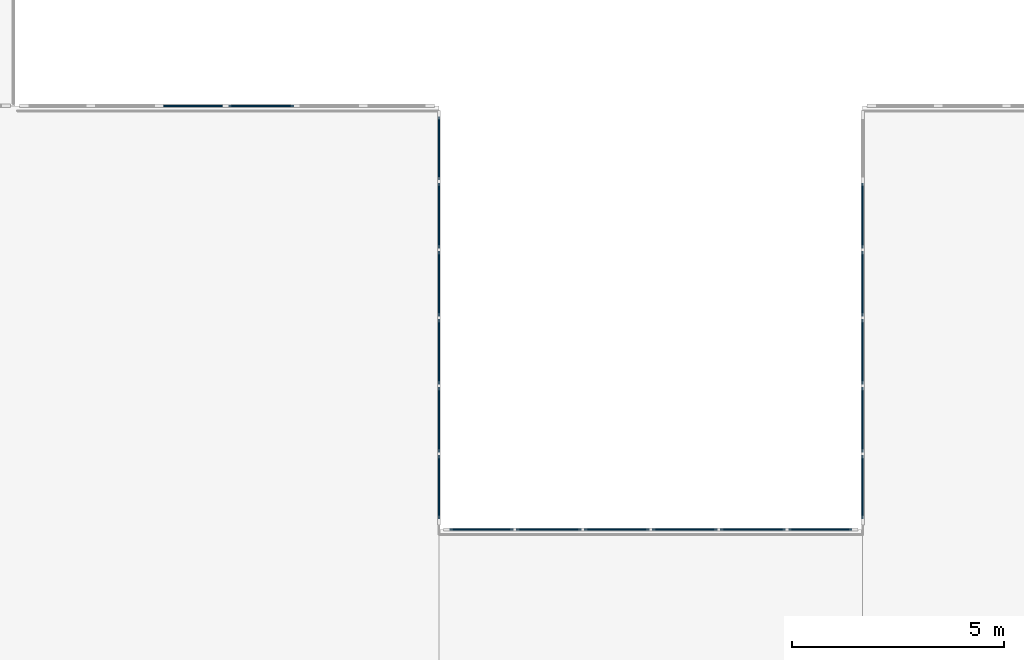
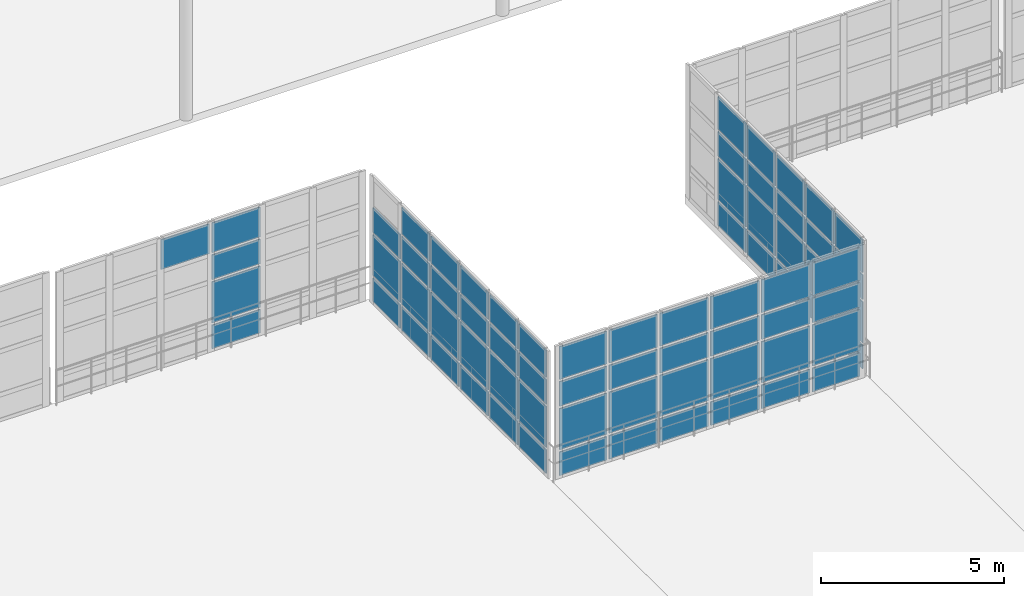
# One storey, part 94 of 139: 72 plates, 4 elements without a shape of their own.
"""IFC4 building model written with IfcOpenShell, lengths in metres."""

from ifc_helpers import new_model, si_unit, direction, frame, origin, origin_2d, place, context, subcontext, project, spatial, rectangle, extrude, material, layer, layer_set, type_object, element, aggregate, save


model = new_model("IFC4")

# Units and contexts
model_context = context("Model", 3, precision=1e-05, world=origin(), true_north=direction((0.0, 1.0)))
body_context = subcontext(model_context, "Body", "Model", "MODEL_VIEW")
ifc_project = project(units=[si_unit("LENGTHUNIT", "METRE"), si_unit("AREAUNIT", "SQUARE_METRE"), si_unit("VOLUMEUNIT", "CUBIC_METRE"), si_unit("PLANEANGLEUNIT", "RADIAN"), si_unit("MASSUNIT", "GRAM", prefix="KILO"), si_unit("THERMODYNAMICTEMPERATUREUNIT", "KELVIN"), si_unit("POWERUNIT", "WATT")], contexts=[model_context])

# Site, building, storey
site_placement = place(None, origin())
site = spatial("IfcSite", under=ifc_project, at=site_placement, CompositionType="ELEMENT")
building_placement = place(site_placement, origin())
building = spatial("IfcBuilding", under=site, at=building_placement, Name="Korenveer Ferry Terminal", CompositionType="ELEMENT")
storey_placement = place(building_placement, frame((0.0, 0.0, 5.39990234375)))
storey = spatial("IfcBuildingStorey", under=building, at=storey_placement, Name="L01", CompositionType="ELEMENT", Elevation=5.39990234375)

# Curtain wall, plates
ifc_material_1 = material(Name="Unitised bronze-and-glass curtain wall", Category="glass")
ifc_layer_1 = layer(ifc_material_1, 0.219970703125)
ifc_layer_set_1 = layer_set([ifc_layer_1], Name="Unitised bronze-and-glass curtain wall")
curtain_wall_type_1 = type_object("IfcCurtainWallType", Name="ENV-CW-52", PredefinedType="USERDEFINED", material=ifc_layer_set_1)
curtain_wall_1_placement = place(storey_placement, frame((83.179931640625, 80.0, 0.0)))
curtain_wall_1 = element("IfcCurtainWall", 1, at=curtain_wall_1_placement, inside=storey, type_object=curtain_wall_type_1, Name="Lancet curtain wall CWX-L01-X83-93-Y80-80", ObjectType="UNITISED CURTAIN WALL", PredefinedType="USERDEFINED")
ifc_material_2 = material(Name="Acoustic laminated marine glazing", Category="glass")
ifc_layer_2 = layer(ifc_material_2, 0.035888671875)
ifc_layer_set_2 = layer_set([ifc_layer_2], Name="Acoustic laminated marine glazing")
plate_type = type_object("IfcPlateType", Name="ENV-CWP-GLZ36", PredefinedType="CURTAIN_PANEL", material=ifc_layer_set_2)
plate_1_placement = place(storey_placement, frame((84.002197265625, 80.0, 0.074951171875), z_axis=(0.0, 0.0, 1.0), x_axis=(1.0, 0.0, 0.0)))
plate_1 = element("IfcPlate", 2, at=plate_1_placement, type_object=plate_type, Name="CW-52 panel 1.1", PredefinedType="CURTAIN_PANEL", context=body_context, shape_type="SweptSolid", body=[
    extrude(rectangle(XDim=1.494140625, YDim=0.035888671875, at=origin_2d()), origin(), (0.0, 0.0, 1.0), 0.78759765625),
])
plate_2_placement = place(storey_placement, frame((84.002197265625, 80.0, 0.9375), z_axis=(0.0, 0.0, 1.0), x_axis=(1.0, 0.0, 0.0)))
plate_2 = element("IfcPlate", 3, at=plate_2_placement, type_object=plate_type, Name="CW-52 panel 1.2", PredefinedType="CURTAIN_PANEL", context=body_context, shape_type="SweptSolid", body=[
    extrude(rectangle(XDim=1.494140625, YDim=0.035888671875, at=origin_2d()), origin(), (0.0, 0.0, 1.0), 1.375),
])
plate_3_placement = place(storey_placement, frame((84.002197265625, 80.0, 2.3876953125), z_axis=(0.0, 0.0, 1.0), x_axis=(1.0, 0.0, 0.0)))
plate_3 = element("IfcPlate", 4, at=plate_3_placement, type_object=plate_type, Name="CW-52 panel 1.3", PredefinedType="CURTAIN_PANEL", context=body_context, shape_type="SweptSolid", body=[
    extrude(rectangle(XDim=1.494140625, YDim=0.035888671875, at=origin_2d()), origin(), (0.0, 0.0, 1.0), 0.824951171875),
])
plate_4_placement = place(storey_placement, frame((84.002197265625, 80.0, 3.28759765625), z_axis=(0.0, 0.0, 1.0), x_axis=(1.0, 0.0, 0.0)))
plate_4 = element("IfcPlate", 5, at=plate_4_placement, type_object=plate_type, Name="CW-52 panel 1.4", PredefinedType="CURTAIN_PANEL", context=body_context, shape_type="SweptSolid", body=[
    extrude(rectangle(XDim=1.494140625, YDim=0.035888671875, at=origin_2d()), origin(), (0.0, 0.0, 1.0), 1.097412109375),
])
plate_5_placement = place(storey_placement, frame((85.590087890625, 80.0, 0.074951171875), z_axis=(0.0, 0.0, 1.0), x_axis=(1.0, 0.0, 0.0)))
plate_5 = element("IfcPlate", 6, at=plate_5_placement, type_object=plate_type, Name="CW-52 panel 2.1", PredefinedType="CURTAIN_PANEL", context=body_context, shape_type="SweptSolid", body=[
    extrude(rectangle(XDim=1.53173828125, YDim=0.035888671875, at=origin_2d()), origin(), (0.0, 0.0, 1.0), 0.78759765625),
])
plate_6_placement = place(storey_placement, frame((85.590087890625, 80.0, 0.9375), z_axis=(0.0, 0.0, 1.0), x_axis=(1.0, 0.0, 0.0)))
plate_6 = element("IfcPlate", 7, at=plate_6_placement, type_object=plate_type, Name="CW-52 panel 2.2", PredefinedType="CURTAIN_PANEL", context=body_context, shape_type="SweptSolid", body=[
    extrude(rectangle(XDim=1.53173828125, YDim=0.035888671875, at=origin_2d()), origin(), (0.0, 0.0, 1.0), 1.375),
])
plate_7_placement = place(storey_placement, frame((85.590087890625, 80.0, 2.3876953125), z_axis=(0.0, 0.0, 1.0), x_axis=(1.0, 0.0, 0.0)))
plate_7 = element("IfcPlate", 8, at=plate_7_placement, type_object=plate_type, Name="CW-52 panel 2.3", PredefinedType="CURTAIN_PANEL", context=body_context, shape_type="SweptSolid", body=[
    extrude(rectangle(XDim=1.53173828125, YDim=0.035888671875, at=origin_2d()), origin(), (0.0, 0.0, 1.0), 0.824951171875),
])
plate_8_placement = place(storey_placement, frame((85.590087890625, 80.0, 3.28759765625), z_axis=(0.0, 0.0, 1.0), x_axis=(1.0, 0.0, 0.0)))
plate_8 = element("IfcPlate", 9, at=plate_8_placement, type_object=plate_type, Name="CW-52 panel 2.4", PredefinedType="CURTAIN_PANEL", context=body_context, shape_type="SweptSolid", body=[
    extrude(rectangle(XDim=1.53173828125, YDim=0.035888671875, at=origin_2d()), origin(), (0.0, 0.0, 1.0), 1.097412109375),
])
plate_9_placement = place(storey_placement, frame((87.19677734375, 80.0, 0.074951171875), z_axis=(0.0, 0.0, 1.0), x_axis=(1.0, 0.0, 0.0)))
plate_9 = element("IfcPlate", 10, at=plate_9_placement, type_object=plate_type, Name="CW-52 panel 3.1", PredefinedType="CURTAIN_PANEL", context=body_context, shape_type="SweptSolid", body=[
    extrude(rectangle(XDim=1.53173828125, YDim=0.035888671875, at=origin_2d()), origin(), (0.0, 0.0, 1.0), 0.78759765625),
])
plate_10_placement = place(storey_placement, frame((87.19677734375, 80.0, 0.9375), z_axis=(0.0, 0.0, 1.0), x_axis=(1.0, 0.0, 0.0)))
plate_10 = element("IfcPlate", 11, at=plate_10_placement, type_object=plate_type, Name="CW-52 panel 3.2", PredefinedType="CURTAIN_PANEL", context=body_context, shape_type="SweptSolid", body=[
    extrude(rectangle(XDim=1.53173828125, YDim=0.035888671875, at=origin_2d()), origin(), (0.0, 0.0, 1.0), 1.375),
])
plate_11_placement = place(storey_placement, frame((87.19677734375, 80.0, 2.3876953125), z_axis=(0.0, 0.0, 1.0), x_axis=(1.0, 0.0, 0.0)))
plate_11 = element("IfcPlate", 12, at=plate_11_placement, type_object=plate_type, Name="CW-52 panel 3.3", PredefinedType="CURTAIN_PANEL", context=body_context, shape_type="SweptSolid", body=[
    extrude(rectangle(XDim=1.53173828125, YDim=0.035888671875, at=origin_2d()), origin(), (0.0, 0.0, 1.0), 0.824951171875),
])
plate_12_placement = place(storey_placement, frame((87.19677734375, 80.0, 3.28759765625), z_axis=(0.0, 0.0, 1.0), x_axis=(1.0, 0.0, 0.0)))
plate_12 = element("IfcPlate", 13, at=plate_12_placement, type_object=plate_type, Name="CW-52 panel 3.4", PredefinedType="CURTAIN_PANEL", context=body_context, shape_type="SweptSolid", body=[
    extrude(rectangle(XDim=1.53173828125, YDim=0.035888671875, at=origin_2d()), origin(), (0.0, 0.0, 1.0), 1.097412109375),
])
plate_13_placement = place(storey_placement, frame((88.80322265625, 80.0, 0.074951171875), z_axis=(0.0, 0.0, 1.0), x_axis=(1.0, 0.0, 0.0)))
plate_13 = element("IfcPlate", 14, at=plate_13_placement, type_object=plate_type, Name="CW-52 panel 4.1", PredefinedType="CURTAIN_PANEL", context=body_context, shape_type="SweptSolid", body=[
    extrude(rectangle(XDim=1.53173828125, YDim=0.035888671875, at=origin_2d()), origin(), (0.0, 0.0, 1.0), 0.78759765625),
])
plate_14_placement = place(storey_placement, frame((88.80322265625, 80.0, 0.9375), z_axis=(0.0, 0.0, 1.0), x_axis=(1.0, 0.0, 0.0)))
plate_14 = element("IfcPlate", 15, at=plate_14_placement, type_object=plate_type, Name="CW-52 panel 4.2", PredefinedType="CURTAIN_PANEL", context=body_context, shape_type="SweptSolid", body=[
    extrude(rectangle(XDim=1.53173828125, YDim=0.035888671875, at=origin_2d()), origin(), (0.0, 0.0, 1.0), 1.375),
])
plate_15_placement = place(storey_placement, frame((88.80322265625, 80.0, 2.3876953125), z_axis=(0.0, 0.0, 1.0), x_axis=(1.0, 0.0, 0.0)))
plate_15 = element("IfcPlate", 16, at=plate_15_placement, type_object=plate_type, Name="CW-52 panel 4.3", PredefinedType="CURTAIN_PANEL", context=body_context, shape_type="SweptSolid", body=[
    extrude(rectangle(XDim=1.53173828125, YDim=0.035888671875, at=origin_2d()), origin(), (0.0, 0.0, 1.0), 0.824951171875),
])
plate_16_placement = place(storey_placement, frame((88.80322265625, 80.0, 3.28759765625), z_axis=(0.0, 0.0, 1.0), x_axis=(1.0, 0.0, 0.0)))
plate_16 = element("IfcPlate", 17, at=plate_16_placement, type_object=plate_type, Name="CW-52 panel 4.4", PredefinedType="CURTAIN_PANEL", context=body_context, shape_type="SweptSolid", body=[
    extrude(rectangle(XDim=1.53173828125, YDim=0.035888671875, at=origin_2d()), origin(), (0.0, 0.0, 1.0), 1.097412109375),
])
plate_17_placement = place(storey_placement, frame((90.409912109375, 80.0, 0.074951171875), z_axis=(0.0, 0.0, 1.0), x_axis=(1.0, 0.0, 0.0)))
plate_17 = element("IfcPlate", 18, at=plate_17_placement, type_object=plate_type, Name="CW-52 panel 5.1", PredefinedType="CURTAIN_PANEL", context=body_context, shape_type="SweptSolid", body=[
    extrude(rectangle(XDim=1.53173828125, YDim=0.035888671875, at=origin_2d()), origin(), (0.0, 0.0, 1.0), 0.78759765625),
])
plate_18_placement = place(storey_placement, frame((90.409912109375, 80.0, 0.9375), z_axis=(0.0, 0.0, 1.0), x_axis=(1.0, 0.0, 0.0)))
plate_18 = element("IfcPlate", 19, at=plate_18_placement, type_object=plate_type, Name="CW-52 panel 5.2", PredefinedType="CURTAIN_PANEL", context=body_context, shape_type="SweptSolid", body=[
    extrude(rectangle(XDim=1.53173828125, YDim=0.035888671875, at=origin_2d()), origin(), (0.0, 0.0, 1.0), 1.375),
])
plate_19_placement = place(storey_placement, frame((90.409912109375, 80.0, 2.3876953125), z_axis=(0.0, 0.0, 1.0), x_axis=(1.0, 0.0, 0.0)))
plate_19 = element("IfcPlate", 20, at=plate_19_placement, type_object=plate_type, Name="CW-52 panel 5.3", PredefinedType="CURTAIN_PANEL", context=body_context, shape_type="SweptSolid", body=[
    extrude(rectangle(XDim=1.53173828125, YDim=0.035888671875, at=origin_2d()), origin(), (0.0, 0.0, 1.0), 0.824951171875),
])
plate_20_placement = place(storey_placement, frame((90.409912109375, 80.0, 3.28759765625), z_axis=(0.0, 0.0, 1.0), x_axis=(1.0, 0.0, 0.0)))
plate_20 = element("IfcPlate", 21, at=plate_20_placement, type_object=plate_type, Name="CW-52 panel 5.4", PredefinedType="CURTAIN_PANEL", context=body_context, shape_type="SweptSolid", body=[
    extrude(rectangle(XDim=1.53173828125, YDim=0.035888671875, at=origin_2d()), origin(), (0.0, 0.0, 1.0), 1.097412109375),
])
plate_21_placement = place(storey_placement, frame((91.997802734375, 80.0, 0.074951171875), z_axis=(0.0, 0.0, 1.0), x_axis=(1.0, 0.0, 0.0)))
plate_21 = element("IfcPlate", 22, at=plate_21_placement, type_object=plate_type, Name="CW-52 panel 6.1", PredefinedType="CURTAIN_PANEL", context=body_context, shape_type="SweptSolid", body=[
    extrude(rectangle(XDim=1.494140625, YDim=0.035888671875, at=origin_2d()), origin(), (0.0, 0.0, 1.0), 0.78759765625),
])
plate_22_placement = place(storey_placement, frame((91.997802734375, 80.0, 0.9375), z_axis=(0.0, 0.0, 1.0), x_axis=(1.0, 0.0, 0.0)))
plate_22 = element("IfcPlate", 23, at=plate_22_placement, type_object=plate_type, Name="CW-52 panel 6.2", PredefinedType="CURTAIN_PANEL", context=body_context, shape_type="SweptSolid", body=[
    extrude(rectangle(XDim=1.494140625, YDim=0.035888671875, at=origin_2d()), origin(), (0.0, 0.0, 1.0), 1.375),
])
plate_23_placement = place(storey_placement, frame((91.997802734375, 80.0, 2.3876953125), z_axis=(0.0, 0.0, 1.0), x_axis=(1.0, 0.0, 0.0)))
plate_23 = element("IfcPlate", 24, at=plate_23_placement, type_object=plate_type, Name="CW-52 panel 6.3", PredefinedType="CURTAIN_PANEL", context=body_context, shape_type="SweptSolid", body=[
    extrude(rectangle(XDim=1.494140625, YDim=0.035888671875, at=origin_2d()), origin(), (0.0, 0.0, 1.0), 0.824951171875),
])
plate_24_placement = place(storey_placement, frame((91.997802734375, 80.0, 3.28759765625), z_axis=(0.0, 0.0, 1.0), x_axis=(1.0, 0.0, 0.0)))
plate_24 = element("IfcPlate", 25, at=plate_24_placement, type_object=plate_type, Name="CW-52 panel 6.4", PredefinedType="CURTAIN_PANEL", context=body_context, shape_type="SweptSolid", body=[
    extrude(rectangle(XDim=1.494140625, YDim=0.035888671875, at=origin_2d()), origin(), (0.0, 0.0, 1.0), 1.097412109375),
])
aggregate(curtain_wall_1, [plate_1, plate_2, plate_3, plate_4, plate_5, plate_6, plate_7, plate_8, plate_9, plate_10, plate_11, plate_12, plate_13, plate_14, plate_15, plate_16, plate_17, plate_18, plate_19, plate_20, plate_21, plate_22, plate_23, plate_24])

ifc_layer_3 = layer(ifc_material_1, 0.219970703125)
ifc_layer_set_3 = layer_set([ifc_layer_3], Name="Unitised bronze-and-glass curtain wall")
curtain_wall_type_2 = type_object("IfcCurtainWallType", Name="ENV-CW-54", PredefinedType="USERDEFINED", material=ifc_layer_set_3)
curtain_wall_2_placement = place(storey_placement, frame((73.179931640625, 90.0, 0.0)))
curtain_wall_2 = element("IfcCurtainWall", 26, at=curtain_wall_2_placement, inside=storey, type_object=curtain_wall_type_2, Name="Lancet curtain wall CWX-L01-X73-83-Y90-90", ObjectType="UNITISED CURTAIN WALL", PredefinedType="USERDEFINED")
plate_25_placement = place(storey_placement, frame((77.19677734375, 90.0, 3.28759765625), z_axis=(0.0, 0.0, 1.0), x_axis=(1.0, 0.0, 0.0)))
plate_25 = element("IfcPlate", 27, at=plate_25_placement, type_object=plate_type, Name="CW-54 panel 3.4", PredefinedType="CURTAIN_PANEL", context=body_context, shape_type="SweptSolid", body=[
    extrude(rectangle(XDim=1.53173828125, YDim=0.035888671875, at=origin_2d()), origin(), (0.0, 0.0, 1.0), 0.99755859375),
])
plate_26_placement = place(storey_placement, frame((78.80322265625, 90.0, 0.074951171875), z_axis=(0.0, 0.0, 1.0), x_axis=(1.0, 0.0, 0.0)))
plate_26 = element("IfcPlate", 28, at=plate_26_placement, type_object=plate_type, Name="CW-54 panel 4.1", PredefinedType="CURTAIN_PANEL", context=body_context, shape_type="SweptSolid", body=[
    extrude(rectangle(XDim=1.53173828125, YDim=0.035888671875, at=origin_2d()), origin(), (0.0, 0.0, 1.0), 0.78759765625),
])
plate_27_placement = place(storey_placement, frame((78.80322265625, 90.0, 0.9375), z_axis=(0.0, 0.0, 1.0), x_axis=(1.0, 0.0, 0.0)))
plate_27 = element("IfcPlate", 29, at=plate_27_placement, type_object=plate_type, Name="CW-54 panel 4.2", PredefinedType="CURTAIN_PANEL", context=body_context, shape_type="SweptSolid", body=[
    extrude(rectangle(XDim=1.53173828125, YDim=0.035888671875, at=origin_2d()), origin(), (0.0, 0.0, 1.0), 1.375),
])
plate_28_placement = place(storey_placement, frame((78.80322265625, 90.0, 2.3876953125), z_axis=(0.0, 0.0, 1.0), x_axis=(1.0, 0.0, 0.0)))
plate_28 = element("IfcPlate", 30, at=plate_28_placement, type_object=plate_type, Name="CW-54 panel 4.3", PredefinedType="CURTAIN_PANEL", context=body_context, shape_type="SweptSolid", body=[
    extrude(rectangle(XDim=1.53173828125, YDim=0.035888671875, at=origin_2d()), origin(), (0.0, 0.0, 1.0), 0.824951171875),
])
plate_29_placement = place(storey_placement, frame((78.80322265625, 90.0, 3.28759765625), z_axis=(0.0, 0.0, 1.0), x_axis=(1.0, 0.0, 0.0)))
plate_29 = element("IfcPlate", 31, at=plate_29_placement, type_object=plate_type, Name="CW-54 panel 4.4", PredefinedType="CURTAIN_PANEL", context=body_context, shape_type="SweptSolid", body=[
    extrude(rectangle(XDim=1.53173828125, YDim=0.035888671875, at=origin_2d()), origin(), (0.0, 0.0, 1.0), 0.99755859375),
])
aggregate(curtain_wall_2, [plate_25, plate_26, plate_27, plate_28, plate_29])

ifc_layer_4 = layer(ifc_material_1, 0.219970703125)
ifc_layer_set_4 = layer_set([ifc_layer_4], Name="Unitised bronze-and-glass curtain wall")
curtain_wall_type_3 = type_object("IfcCurtainWallType", Name="ENV-CW-55", PredefinedType="USERDEFINED", material=ifc_layer_set_4)
curtain_wall_3_placement = place(storey_placement, frame((83.0, 89.820068359375, 0.0)))
curtain_wall_3 = element("IfcCurtainWall", 32, at=curtain_wall_3_placement, inside=storey, type_object=curtain_wall_type_3, Name="Lancet curtain wall CWX-L01-X83-83-Y80-90", ObjectType="UNITISED CURTAIN WALL", PredefinedType="USERDEFINED")
plate_30_placement = place(storey_placement, frame((83.0, 88.997802734375, 0.074951171875), z_axis=(0.0, 0.0, 1.0), x_axis=(0.0, -1.0, 0.0)))
plate_30 = element("IfcPlate", 33, at=plate_30_placement, type_object=plate_type, Name="CW-55 panel 1.1", PredefinedType="CURTAIN_PANEL", context=body_context, shape_type="SweptSolid", body=[
    extrude(rectangle(XDim=1.494140625, YDim=0.035888671875, at=origin_2d()), origin(), (0.0, 0.0, 1.0), 0.78759765625),
])
plate_31_placement = place(storey_placement, frame((83.0, 88.997802734375, 0.9375), z_axis=(0.0, 0.0, 1.0), x_axis=(0.0, -1.0, 0.0)))
plate_31 = element("IfcPlate", 34, at=plate_31_placement, type_object=plate_type, Name="CW-55 panel 1.2", PredefinedType="CURTAIN_PANEL", context=body_context, shape_type="SweptSolid", body=[
    extrude(rectangle(XDim=1.494140625, YDim=0.035888671875, at=origin_2d()), origin(), (0.0, 0.0, 1.0), 1.375),
])
plate_32_placement = place(storey_placement, frame((83.0, 88.997802734375, 2.3876953125), z_axis=(0.0, 0.0, 1.0), x_axis=(0.0, -1.0, 0.0)))
plate_32 = element("IfcPlate", 35, at=plate_32_placement, type_object=plate_type, Name="CW-55 panel 1.3", PredefinedType="CURTAIN_PANEL", context=body_context, shape_type="SweptSolid", body=[
    extrude(rectangle(XDim=1.494140625, YDim=0.035888671875, at=origin_2d()), origin(), (0.0, 0.0, 1.0), 0.824951171875),
])
plate_33_placement = place(storey_placement, frame((83.0, 87.409912109375, 0.074951171875), z_axis=(0.0, 0.0, 1.0), x_axis=(0.0, -1.0, 0.0)))
plate_33 = element("IfcPlate", 36, at=plate_33_placement, type_object=plate_type, Name="CW-55 panel 2.1", PredefinedType="CURTAIN_PANEL", context=body_context, shape_type="SweptSolid", body=[
    extrude(rectangle(XDim=1.53173828125, YDim=0.035888671875, at=origin_2d()), origin(), (0.0, 0.0, 1.0), 0.78759765625),
])
plate_34_placement = place(storey_placement, frame((83.0, 87.409912109375, 0.9375), z_axis=(0.0, 0.0, 1.0), x_axis=(0.0, -1.0, 0.0)))
plate_34 = element("IfcPlate", 37, at=plate_34_placement, type_object=plate_type, Name="CW-55 panel 2.2", PredefinedType="CURTAIN_PANEL", context=body_context, shape_type="SweptSolid", body=[
    extrude(rectangle(XDim=1.53173828125, YDim=0.035888671875, at=origin_2d()), origin(), (0.0, 0.0, 1.0), 1.375),
])
plate_35_placement = place(storey_placement, frame((83.0, 87.409912109375, 2.3876953125), z_axis=(0.0, 0.0, 1.0), x_axis=(0.0, -1.0, 0.0)))
plate_35 = element("IfcPlate", 38, at=plate_35_placement, type_object=plate_type, Name="CW-55 panel 2.3", PredefinedType="CURTAIN_PANEL", context=body_context, shape_type="SweptSolid", body=[
    extrude(rectangle(XDim=1.53173828125, YDim=0.035888671875, at=origin_2d()), origin(), (0.0, 0.0, 1.0), 0.824951171875),
])
plate_36_placement = place(storey_placement, frame((83.0, 87.409912109375, 3.28759765625), z_axis=(0.0, 0.0, 1.0), x_axis=(0.0, -1.0, 0.0)))
plate_36 = element("IfcPlate", 39, at=plate_36_placement, type_object=plate_type, Name="CW-55 panel 2.4", PredefinedType="CURTAIN_PANEL", context=body_context, shape_type="SweptSolid", body=[
    extrude(rectangle(XDim=1.53173828125, YDim=0.035888671875, at=origin_2d()), origin(), (0.0, 0.0, 1.0), 0.8974609375),
])
plate_37_placement = place(storey_placement, frame((83.0, 85.80322265625, 0.074951171875), z_axis=(0.0, 0.0, 1.0), x_axis=(0.0, -1.0, 0.0)))
plate_37 = element("IfcPlate", 40, at=plate_37_placement, type_object=plate_type, Name="CW-55 panel 3.1", PredefinedType="CURTAIN_PANEL", context=body_context, shape_type="SweptSolid", body=[
    extrude(rectangle(XDim=1.53173828125, YDim=0.035888671875, at=origin_2d()), origin(), (0.0, 0.0, 1.0), 0.78759765625),
])
plate_38_placement = place(storey_placement, frame((83.0, 85.80322265625, 0.9375), z_axis=(0.0, 0.0, 1.0), x_axis=(0.0, -1.0, 0.0)))
plate_38 = element("IfcPlate", 41, at=plate_38_placement, type_object=plate_type, Name="CW-55 panel 3.2", PredefinedType="CURTAIN_PANEL", context=body_context, shape_type="SweptSolid", body=[
    extrude(rectangle(XDim=1.53173828125, YDim=0.035888671875, at=origin_2d()), origin(), (0.0, 0.0, 1.0), 1.375),
])
plate_39_placement = place(storey_placement, frame((83.0, 85.80322265625, 2.3876953125), z_axis=(0.0, 0.0, 1.0), x_axis=(0.0, -1.0, 0.0)))
plate_39 = element("IfcPlate", 42, at=plate_39_placement, type_object=plate_type, Name="CW-55 panel 3.3", PredefinedType="CURTAIN_PANEL", context=body_context, shape_type="SweptSolid", body=[
    extrude(rectangle(XDim=1.53173828125, YDim=0.035888671875, at=origin_2d()), origin(), (0.0, 0.0, 1.0), 0.824951171875),
])
plate_40_placement = place(storey_placement, frame((83.0, 85.80322265625, 3.28759765625), z_axis=(0.0, 0.0, 1.0), x_axis=(0.0, -1.0, 0.0)))
plate_40 = element("IfcPlate", 43, at=plate_40_placement, type_object=plate_type, Name="CW-55 panel 3.4", PredefinedType="CURTAIN_PANEL", context=body_context, shape_type="SweptSolid", body=[
    extrude(rectangle(XDim=1.53173828125, YDim=0.035888671875, at=origin_2d()), origin(), (0.0, 0.0, 1.0), 0.8974609375),
])
plate_41_placement = place(storey_placement, frame((83.0, 84.19677734375, 0.074951171875), z_axis=(0.0, 0.0, 1.0), x_axis=(0.0, -1.0, 0.0)))
plate_41 = element("IfcPlate", 44, at=plate_41_placement, type_object=plate_type, Name="CW-55 panel 4.1", PredefinedType="CURTAIN_PANEL", context=body_context, shape_type="SweptSolid", body=[
    extrude(rectangle(XDim=1.53173828125, YDim=0.035888671875, at=origin_2d()), origin(), (0.0, 0.0, 1.0), 0.78759765625),
])
plate_42_placement = place(storey_placement, frame((83.0, 84.19677734375, 0.9375), z_axis=(0.0, 0.0, 1.0), x_axis=(0.0, -1.0, 0.0)))
plate_42 = element("IfcPlate", 45, at=plate_42_placement, type_object=plate_type, Name="CW-55 panel 4.2", PredefinedType="CURTAIN_PANEL", context=body_context, shape_type="SweptSolid", body=[
    extrude(rectangle(XDim=1.53173828125, YDim=0.035888671875, at=origin_2d()), origin(), (0.0, 0.0, 1.0), 1.375),
])
plate_43_placement = place(storey_placement, frame((83.0, 84.19677734375, 2.3876953125), z_axis=(0.0, 0.0, 1.0), x_axis=(0.0, -1.0, 0.0)))
plate_43 = element("IfcPlate", 46, at=plate_43_placement, type_object=plate_type, Name="CW-55 panel 4.3", PredefinedType="CURTAIN_PANEL", context=body_context, shape_type="SweptSolid", body=[
    extrude(rectangle(XDim=1.53173828125, YDim=0.035888671875, at=origin_2d()), origin(), (0.0, 0.0, 1.0), 0.824951171875),
])
plate_44_placement = place(storey_placement, frame((83.0, 84.19677734375, 3.28759765625), z_axis=(0.0, 0.0, 1.0), x_axis=(0.0, -1.0, 0.0)))
plate_44 = element("IfcPlate", 47, at=plate_44_placement, type_object=plate_type, Name="CW-55 panel 4.4", PredefinedType="CURTAIN_PANEL", context=body_context, shape_type="SweptSolid", body=[
    extrude(rectangle(XDim=1.53173828125, YDim=0.035888671875, at=origin_2d()), origin(), (0.0, 0.0, 1.0), 0.8974609375),
])
plate_45_placement = place(storey_placement, frame((83.0, 82.590087890625, 0.074951171875), z_axis=(0.0, 0.0, 1.0), x_axis=(0.0, -1.0, 0.0)))
plate_45 = element("IfcPlate", 48, at=plate_45_placement, type_object=plate_type, Name="CW-55 panel 5.1", PredefinedType="CURTAIN_PANEL", context=body_context, shape_type="SweptSolid", body=[
    extrude(rectangle(XDim=1.53173828125, YDim=0.035888671875, at=origin_2d()), origin(), (0.0, 0.0, 1.0), 0.78759765625),
])
plate_46_placement = place(storey_placement, frame((83.0, 82.590087890625, 0.9375), z_axis=(0.0, 0.0, 1.0), x_axis=(0.0, -1.0, 0.0)))
plate_46 = element("IfcPlate", 49, at=plate_46_placement, type_object=plate_type, Name="CW-55 panel 5.2", PredefinedType="CURTAIN_PANEL", context=body_context, shape_type="SweptSolid", body=[
    extrude(rectangle(XDim=1.53173828125, YDim=0.035888671875, at=origin_2d()), origin(), (0.0, 0.0, 1.0), 1.375),
])
plate_47_placement = place(storey_placement, frame((83.0, 82.590087890625, 2.3876953125), z_axis=(0.0, 0.0, 1.0), x_axis=(0.0, -1.0, 0.0)))
plate_47 = element("IfcPlate", 50, at=plate_47_placement, type_object=plate_type, Name="CW-55 panel 5.3", PredefinedType="CURTAIN_PANEL", context=body_context, shape_type="SweptSolid", body=[
    extrude(rectangle(XDim=1.53173828125, YDim=0.035888671875, at=origin_2d()), origin(), (0.0, 0.0, 1.0), 0.824951171875),
])
plate_48_placement = place(storey_placement, frame((83.0, 82.590087890625, 3.28759765625), z_axis=(0.0, 0.0, 1.0), x_axis=(0.0, -1.0, 0.0)))
plate_48 = element("IfcPlate", 51, at=plate_48_placement, type_object=plate_type, Name="CW-55 panel 5.4", PredefinedType="CURTAIN_PANEL", context=body_context, shape_type="SweptSolid", body=[
    extrude(rectangle(XDim=1.53173828125, YDim=0.035888671875, at=origin_2d()), origin(), (0.0, 0.0, 1.0), 0.8974609375),
])
plate_49_placement = place(storey_placement, frame((83.0, 81.002197265625, 0.074951171875), z_axis=(0.0, 0.0, 1.0), x_axis=(0.0, -1.0, 0.0)))
plate_49 = element("IfcPlate", 52, at=plate_49_placement, type_object=plate_type, Name="CW-55 panel 6.1", PredefinedType="CURTAIN_PANEL", context=body_context, shape_type="SweptSolid", body=[
    extrude(rectangle(XDim=1.494140625, YDim=0.035888671875, at=origin_2d()), origin(), (0.0, 0.0, 1.0), 0.78759765625),
])
plate_50_placement = place(storey_placement, frame((83.0, 81.002197265625, 0.9375), z_axis=(0.0, 0.0, 1.0), x_axis=(0.0, -1.0, 0.0)))
plate_50 = element("IfcPlate", 53, at=plate_50_placement, type_object=plate_type, Name="CW-55 panel 6.2", PredefinedType="CURTAIN_PANEL", context=body_context, shape_type="SweptSolid", body=[
    extrude(rectangle(XDim=1.494140625, YDim=0.035888671875, at=origin_2d()), origin(), (0.0, 0.0, 1.0), 1.375),
])
plate_51_placement = place(storey_placement, frame((83.0, 81.002197265625, 2.3876953125), z_axis=(0.0, 0.0, 1.0), x_axis=(0.0, -1.0, 0.0)))
plate_51 = element("IfcPlate", 54, at=plate_51_placement, type_object=plate_type, Name="CW-55 panel 6.3", PredefinedType="CURTAIN_PANEL", context=body_context, shape_type="SweptSolid", body=[
    extrude(rectangle(XDim=1.494140625, YDim=0.035888671875, at=origin_2d()), origin(), (0.0, 0.0, 1.0), 0.824951171875),
])
plate_52_placement = place(storey_placement, frame((83.0, 81.002197265625, 3.28759765625), z_axis=(0.0, 0.0, 1.0), x_axis=(0.0, -1.0, 0.0)))
plate_52 = element("IfcPlate", 55, at=plate_52_placement, type_object=plate_type, Name="CW-55 panel 6.4", PredefinedType="CURTAIN_PANEL", context=body_context, shape_type="SweptSolid", body=[
    extrude(rectangle(XDim=1.494140625, YDim=0.035888671875, at=origin_2d()), origin(), (0.0, 0.0, 1.0), 0.8974609375),
])
aggregate(curtain_wall_3, [plate_30, plate_31, plate_32, plate_33, plate_34, plate_35, plate_36, plate_37, plate_38, plate_39, plate_40, plate_41, plate_42, plate_43, plate_44, plate_45, plate_46, plate_47, plate_48, plate_49, plate_50, plate_51, plate_52])

curtain_wall_4_placement = place(storey_placement, frame((93.0, 80.179931640625, 0.0)))
curtain_wall_4 = element("IfcCurtainWall", 56, at=curtain_wall_4_placement, inside=storey, type_object=curtain_wall_type_1, Name="Lancet curtain wall CWX-L01-X93-93-Y80-90", ObjectType="UNITISED CURTAIN WALL", PredefinedType="USERDEFINED")
plate_53_placement = place(storey_placement, frame((93.0, 81.002197265625, 0.074951171875), z_axis=(0.0, 0.0, 1.0), x_axis=(0.0, 1.0, 0.0)))
plate_53 = element("IfcPlate", 57, at=plate_53_placement, type_object=plate_type, Name="CW-52 panel 1.1", PredefinedType="CURTAIN_PANEL", context=body_context, shape_type="SweptSolid", body=[
    extrude(rectangle(XDim=1.494140625, YDim=0.035888671875, at=origin_2d()), origin(), (0.0, 0.0, 1.0), 0.78759765625),
])
plate_54_placement = place(storey_placement, frame((93.0, 81.002197265625, 0.9375), z_axis=(0.0, 0.0, 1.0), x_axis=(0.0, 1.0, 0.0)))
plate_54 = element("IfcPlate", 58, at=plate_54_placement, type_object=plate_type, Name="CW-52 panel 1.2", PredefinedType="CURTAIN_PANEL", context=body_context, shape_type="SweptSolid", body=[
    extrude(rectangle(XDim=1.494140625, YDim=0.035888671875, at=origin_2d()), origin(), (0.0, 0.0, 1.0), 1.375),
])
plate_55_placement = place(storey_placement, frame((93.0, 81.002197265625, 2.3876953125), z_axis=(0.0, 0.0, 1.0), x_axis=(0.0, 1.0, 0.0)))
plate_55 = element("IfcPlate", 59, at=plate_55_placement, type_object=plate_type, Name="CW-52 panel 1.3", PredefinedType="CURTAIN_PANEL", context=body_context, shape_type="SweptSolid", body=[
    extrude(rectangle(XDim=1.494140625, YDim=0.035888671875, at=origin_2d()), origin(), (0.0, 0.0, 1.0), 0.824951171875),
])
plate_56_placement = place(storey_placement, frame((93.0, 81.002197265625, 3.28759765625), z_axis=(0.0, 0.0, 1.0), x_axis=(0.0, 1.0, 0.0)))
plate_56 = element("IfcPlate", 60, at=plate_56_placement, type_object=plate_type, Name="CW-52 panel 1.4", PredefinedType="CURTAIN_PANEL", context=body_context, shape_type="SweptSolid", body=[
    extrude(rectangle(XDim=1.494140625, YDim=0.035888671875, at=origin_2d()), origin(), (0.0, 0.0, 1.0), 1.097412109375),
])
plate_57_placement = place(storey_placement, frame((93.0, 82.590087890625, 0.074951171875), z_axis=(0.0, 0.0, 1.0), x_axis=(0.0, 1.0, 0.0)))
plate_57 = element("IfcPlate", 61, at=plate_57_placement, type_object=plate_type, Name="CW-52 panel 2.1", PredefinedType="CURTAIN_PANEL", context=body_context, shape_type="SweptSolid", body=[
    extrude(rectangle(XDim=1.53173828125, YDim=0.035888671875, at=origin_2d()), origin(), (0.0, 0.0, 1.0), 0.78759765625),
])
plate_58_placement = place(storey_placement, frame((93.0, 82.590087890625, 0.9375), z_axis=(0.0, 0.0, 1.0), x_axis=(0.0, 1.0, 0.0)))
plate_58 = element("IfcPlate", 62, at=plate_58_placement, type_object=plate_type, Name="CW-52 panel 2.2", PredefinedType="CURTAIN_PANEL", context=body_context, shape_type="SweptSolid", body=[
    extrude(rectangle(XDim=1.53173828125, YDim=0.035888671875, at=origin_2d()), origin(), (0.0, 0.0, 1.0), 1.375),
])
plate_59_placement = place(storey_placement, frame((93.0, 82.590087890625, 2.3876953125), z_axis=(0.0, 0.0, 1.0), x_axis=(0.0, 1.0, 0.0)))
plate_59 = element("IfcPlate", 63, at=plate_59_placement, type_object=plate_type, Name="CW-52 panel 2.3", PredefinedType="CURTAIN_PANEL", context=body_context, shape_type="SweptSolid", body=[
    extrude(rectangle(XDim=1.53173828125, YDim=0.035888671875, at=origin_2d()), origin(), (0.0, 0.0, 1.0), 0.824951171875),
])
plate_60_placement = place(storey_placement, frame((93.0, 82.590087890625, 3.28759765625), z_axis=(0.0, 0.0, 1.0), x_axis=(0.0, 1.0, 0.0)))
plate_60 = element("IfcPlate", 64, at=plate_60_placement, type_object=plate_type, Name="CW-52 panel 2.4", PredefinedType="CURTAIN_PANEL", context=body_context, shape_type="SweptSolid", body=[
    extrude(rectangle(XDim=1.53173828125, YDim=0.035888671875, at=origin_2d()), origin(), (0.0, 0.0, 1.0), 1.097412109375),
])
plate_61_placement = place(storey_placement, frame((93.0, 84.19677734375, 0.074951171875), z_axis=(0.0, 0.0, 1.0), x_axis=(0.0, 1.0, 0.0)))
plate_61 = element("IfcPlate", 65, at=plate_61_placement, type_object=plate_type, Name="CW-52 panel 3.1", PredefinedType="CURTAIN_PANEL", context=body_context, shape_type="SweptSolid", body=[
    extrude(rectangle(XDim=1.53173828125, YDim=0.035888671875, at=origin_2d()), origin(), (0.0, 0.0, 1.0), 0.78759765625),
])
plate_62_placement = place(storey_placement, frame((93.0, 84.19677734375, 0.9375), z_axis=(0.0, 0.0, 1.0), x_axis=(0.0, 1.0, 0.0)))
plate_62 = element("IfcPlate", 66, at=plate_62_placement, type_object=plate_type, Name="CW-52 panel 3.2", PredefinedType="CURTAIN_PANEL", context=body_context, shape_type="SweptSolid", body=[
    extrude(rectangle(XDim=1.53173828125, YDim=0.035888671875, at=origin_2d()), origin(), (0.0, 0.0, 1.0), 1.375),
])
plate_63_placement = place(storey_placement, frame((93.0, 84.19677734375, 2.3876953125), z_axis=(0.0, 0.0, 1.0), x_axis=(0.0, 1.0, 0.0)))
plate_63 = element("IfcPlate", 67, at=plate_63_placement, type_object=plate_type, Name="CW-52 panel 3.3", PredefinedType="CURTAIN_PANEL", context=body_context, shape_type="SweptSolid", body=[
    extrude(rectangle(XDim=1.53173828125, YDim=0.035888671875, at=origin_2d()), origin(), (0.0, 0.0, 1.0), 0.824951171875),
])
plate_64_placement = place(storey_placement, frame((93.0, 84.19677734375, 3.28759765625), z_axis=(0.0, 0.0, 1.0), x_axis=(0.0, 1.0, 0.0)))
plate_64 = element("IfcPlate", 68, at=plate_64_placement, type_object=plate_type, Name="CW-52 panel 3.4", PredefinedType="CURTAIN_PANEL", context=body_context, shape_type="SweptSolid", body=[
    extrude(rectangle(XDim=1.53173828125, YDim=0.035888671875, at=origin_2d()), origin(), (0.0, 0.0, 1.0), 1.097412109375),
])
plate_65_placement = place(storey_placement, frame((93.0, 85.80322265625, 0.074951171875), z_axis=(0.0, 0.0, 1.0), x_axis=(0.0, 1.0, 0.0)))
plate_65 = element("IfcPlate", 69, at=plate_65_placement, type_object=plate_type, Name="CW-52 panel 4.1", PredefinedType="CURTAIN_PANEL", context=body_context, shape_type="SweptSolid", body=[
    extrude(rectangle(XDim=1.53173828125, YDim=0.035888671875, at=origin_2d()), origin(), (0.0, 0.0, 1.0), 0.78759765625),
])
plate_66_placement = place(storey_placement, frame((93.0, 85.80322265625, 0.9375), z_axis=(0.0, 0.0, 1.0), x_axis=(0.0, 1.0, 0.0)))
plate_66 = element("IfcPlate", 70, at=plate_66_placement, type_object=plate_type, Name="CW-52 panel 4.2", PredefinedType="CURTAIN_PANEL", context=body_context, shape_type="SweptSolid", body=[
    extrude(rectangle(XDim=1.53173828125, YDim=0.035888671875, at=origin_2d()), origin(), (0.0, 0.0, 1.0), 1.375),
])
plate_67_placement = place(storey_placement, frame((93.0, 85.80322265625, 2.3876953125), z_axis=(0.0, 0.0, 1.0), x_axis=(0.0, 1.0, 0.0)))
plate_67 = element("IfcPlate", 71, at=plate_67_placement, type_object=plate_type, Name="CW-52 panel 4.3", PredefinedType="CURTAIN_PANEL", context=body_context, shape_type="SweptSolid", body=[
    extrude(rectangle(XDim=1.53173828125, YDim=0.035888671875, at=origin_2d()), origin(), (0.0, 0.0, 1.0), 0.824951171875),
])
plate_68_placement = place(storey_placement, frame((93.0, 85.80322265625, 3.28759765625), z_axis=(0.0, 0.0, 1.0), x_axis=(0.0, 1.0, 0.0)))
plate_68 = element("IfcPlate", 72, at=plate_68_placement, type_object=plate_type, Name="CW-52 panel 4.4", PredefinedType="CURTAIN_PANEL", context=body_context, shape_type="SweptSolid", body=[
    extrude(rectangle(XDim=1.53173828125, YDim=0.035888671875, at=origin_2d()), origin(), (0.0, 0.0, 1.0), 1.097412109375),
])
plate_69_placement = place(storey_placement, frame((93.0, 87.409912109375, 0.074951171875), z_axis=(0.0, 0.0, 1.0), x_axis=(0.0, 1.0, 0.0)))
plate_69 = element("IfcPlate", 73, at=plate_69_placement, type_object=plate_type, Name="CW-52 panel 5.1", PredefinedType="CURTAIN_PANEL", context=body_context, shape_type="SweptSolid", body=[
    extrude(rectangle(XDim=1.53173828125, YDim=0.035888671875, at=origin_2d()), origin(), (0.0, 0.0, 1.0), 0.78759765625),
])
plate_70_placement = place(storey_placement, frame((93.0, 87.409912109375, 0.9375), z_axis=(0.0, 0.0, 1.0), x_axis=(0.0, 1.0, 0.0)))
plate_70 = element("IfcPlate", 74, at=plate_70_placement, type_object=plate_type, Name="CW-52 panel 5.2", PredefinedType="CURTAIN_PANEL", context=body_context, shape_type="SweptSolid", body=[
    extrude(rectangle(XDim=1.53173828125, YDim=0.035888671875, at=origin_2d()), origin(), (0.0, 0.0, 1.0), 1.375),
])
plate_71_placement = place(storey_placement, frame((93.0, 87.409912109375, 2.3876953125), z_axis=(0.0, 0.0, 1.0), x_axis=(0.0, 1.0, 0.0)))
plate_71 = element("IfcPlate", 75, at=plate_71_placement, type_object=plate_type, Name="CW-52 panel 5.3", PredefinedType="CURTAIN_PANEL", context=body_context, shape_type="SweptSolid", body=[
    extrude(rectangle(XDim=1.53173828125, YDim=0.035888671875, at=origin_2d()), origin(), (0.0, 0.0, 1.0), 0.824951171875),
])
plate_72_placement = place(storey_placement, frame((93.0, 87.409912109375, 3.28759765625), z_axis=(0.0, 0.0, 1.0), x_axis=(0.0, 1.0, 0.0)))
plate_72 = element("IfcPlate", 76, at=plate_72_placement, type_object=plate_type, Name="CW-52 panel 5.4", PredefinedType="CURTAIN_PANEL", context=body_context, shape_type="SweptSolid", body=[
    extrude(rectangle(XDim=1.53173828125, YDim=0.035888671875, at=origin_2d()), origin(), (0.0, 0.0, 1.0), 1.097412109375),
])
aggregate(curtain_wall_4, [plate_53, plate_54, plate_55, plate_56, plate_57, plate_58, plate_59, plate_60, plate_61, plate_62, plate_63, plate_64, plate_65, plate_66, plate_67, plate_68, plate_69, plate_70, plate_71, plate_72])

save(model, "model.ifc")
